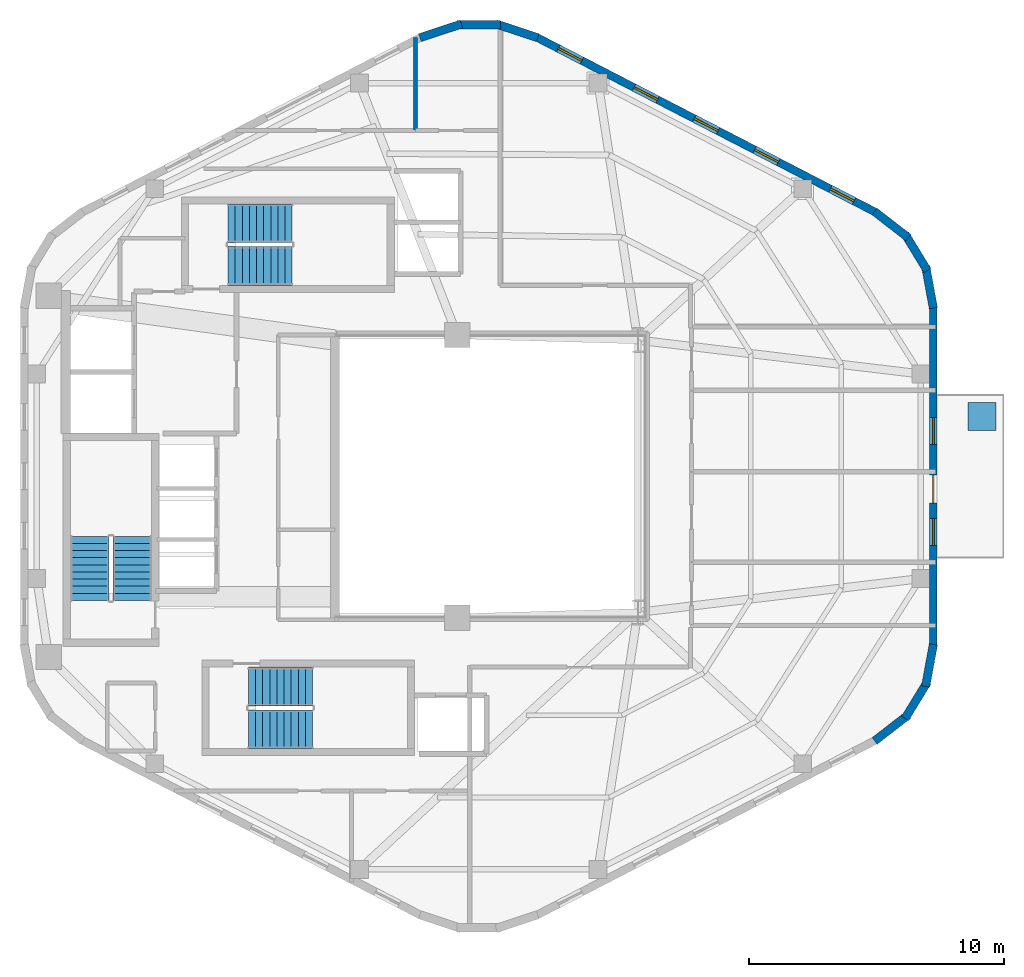
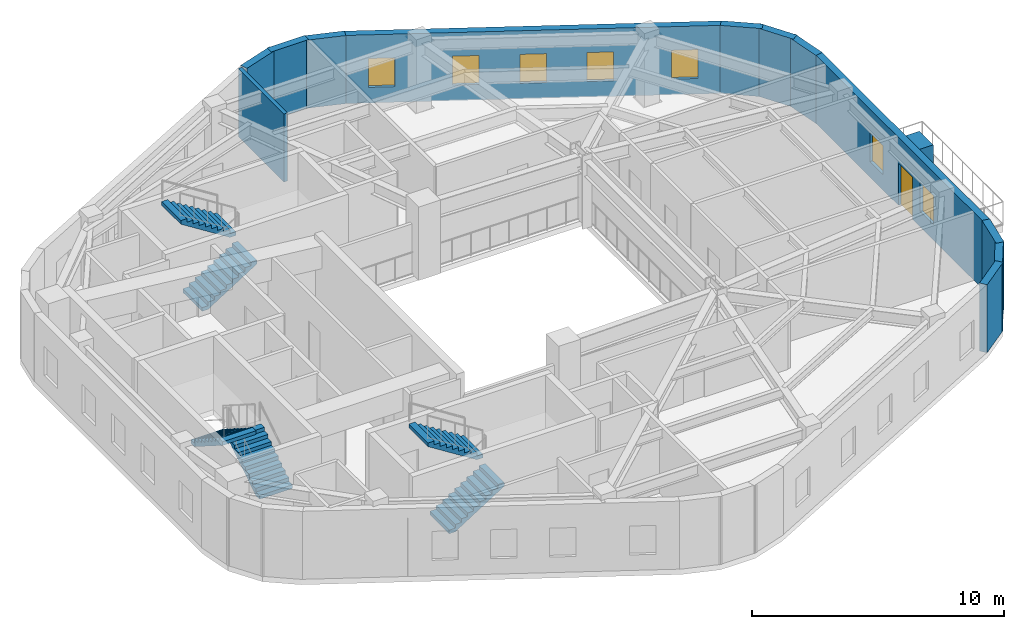
# One storey, part 5 of 7: 12 walls, 7 windows, 6 stair flights, 1 discrete accessory, 1 door, 8 openings, 3 elements without a shape of their own.
"""IFC4 building model written with IfcOpenShell, lengths in metres."""

import ifcopenshell
import ifcopenshell.guid

model = None  # the IFC model being written
_history = None  # IfcOwnerHistory: only IFC2X3 demands one
_inside = {}  # id of a spatial element -> (the spatial element, [elements in it])
_under = {}  # id of a project, library or spatial element -> (it, [spatial elements below it])
_declared = {}  # id of a project -> (the project, [libraries it declares])
_typed = {}  # id of a type object -> (the type object, [elements of that type])
_made_of = {}  # id of a material, layer set ... -> (it, [elements and type objects made of it])


def new_model(schema):
    """Start an empty IFC model of exactly this schema.

    Asked for "IFC4X3", IfcOpenShell would pick the latest addendum, in which some entities
    have other attributes; the version numbers below select the first issue.
    IFC2X3 requires an IfcOwnerHistory on every rooted entity: one is made here for all.
    """
    global model, _history
    if schema == "IFC4X3":
        model = ifcopenshell.file(schema_version=(4, 3, 0, 0))
    else:
        model = ifcopenshell.file(schema=schema)
    _inside.clear()
    _under.clear()
    _declared.clear()
    _typed.clear()
    _made_of.clear()
    _history = None
    if model.schema == "IFC2X3":
        org = make("IfcOrganization", Name="unknown")
        user = make(
            "IfcPersonAndOrganization",
            ThePerson=make("IfcPerson", FamilyName="unknown"),
            TheOrganization=org,
        )
        app = make(
            "IfcApplication",
            ApplicationDeveloper=org,
            Version="unknown",
            ApplicationFullName="unknown",
            ApplicationIdentifier="unknown",
        )
        _history = make(
            "IfcOwnerHistory",
            OwningUser=user,
            OwningApplication=app,
            ChangeAction="ADDED",
            CreationDate=0,
        )
    return model


def make(cls, **values):
    """One entity of the class cls with the attributes given. An attribute that is None is left unset."""
    return model.create_entity(
        cls, **{name: value for name, value in values.items() if value is not None}
    )


def rooted(cls, **values):
    """An entity with a GlobalId (a new one), such as an element, a storey or a relation."""
    return make(cls, GlobalId=ifcopenshell.guid.new(), OwnerHistory=_history, **values)


def si_unit(unit_type, name, prefix=None):
    """IfcSIUnit, for example si_unit("LENGTHUNIT", "METRE", prefix="MILLI")."""
    return make("IfcSIUnit", UnitType=unit_type, Prefix=prefix, Name=name)


def assignment(units):
    """IfcUnitAssignment: the units of a project."""
    return None if units is None else make("IfcUnitAssignment", Units=units)


def point(xyz):
    """IfcCartesianPoint."""
    return None if xyz is None else make("IfcCartesianPoint", Coordinates=xyz)


def direction(xyz):
    """IfcDirection."""
    return None if xyz is None else make("IfcDirection", DirectionRatios=xyz)


def frame(location, z_axis=None, x_axis=None):
    """IfcAxis2Placement3D, a coordinate frame: its origin and axes. An axis left out is left unset."""
    return make(
        "IfcAxis2Placement3D",
        Location=point(location),
        Axis=direction(z_axis),
        RefDirection=direction(x_axis),
    )


def frame_2d(location, x_axis=None):
    """IfcAxis2Placement2D, a coordinate frame in the plane: its origin and x axis."""
    return make(
        "IfcAxis2Placement2D", Location=point(location), RefDirection=direction(x_axis)
    )


def origin():
    """The frame at (0, 0, 0) with its axes left unset."""
    return frame((0.0, 0.0, 0.0))


def origin_2d():
    """The frame at (0, 0) in the plane with its x axis left unset."""
    return frame_2d((0.0, 0.0))


def place(relative_to, where):
    """IfcLocalPlacement: puts the frame where relative to a parent placement (None: the world)."""
    return make(
        "IfcLocalPlacement", PlacementRelTo=relative_to, RelativePlacement=where
    )


def context(
    kind, dimensions, precision=None, world=None, true_north=None, identifier=None
):
    """IfcGeometricRepresentationContext, for example the 3D "Model" context."""
    return make(
        "IfcGeometricRepresentationContext",
        ContextIdentifier=identifier,
        ContextType=kind,
        CoordinateSpaceDimension=dimensions,
        Precision=precision,
        WorldCoordinateSystem=world,
        TrueNorth=true_north,
    )


def subcontext(parent, identifier, kind, view, scale=None):
    """IfcGeometricRepresentationSubContext, for example "Body" below "Model"."""
    return make(
        "IfcGeometricRepresentationSubContext",
        ContextIdentifier=identifier,
        ContextType=kind,
        ParentContext=parent,
        TargetScale=scale,
        TargetView=view,
    )


def project(units=None, contexts=None):
    """IfcProject with its units and contexts."""
    return rooted(
        "IfcProject",
        Name="project",
        RepresentationContexts=contexts,
        UnitsInContext=assignment(units),
    )


def spatial(cls, under=None, at=None, **own):
    """A site, building, storey or space (cls), placed at a placement, below another one or the project."""
    s = rooted(cls, ObjectPlacement=at, **own)
    if under is not None:
        _under.setdefault(under.id(), (under, []))[1].append(s)
    return s


def polyline(points):
    """IfcPolyline through the points."""
    return make("IfcPolyline", Points=[point(p) for p in points])


def profile(cls, at=None, kind="AREA", **sizes):
    """A parametric profile (cls). Its sizes go by their IFC names, for example OverallWidth=200.0."""
    return make(cls, ProfileType=kind, Position=at, **sizes)


def rectangle(**sizes):
    """IfcRectangleProfileDef."""
    return profile("IfcRectangleProfileDef", **sizes)


def outline(outer, holes=None, kind="AREA"):
    """IfcArbitraryClosedProfileDef: a profile drawn as a closed curve; with holes, ...WithVoids."""
    if holes is None:
        return make("IfcArbitraryClosedProfileDef", ProfileType=kind, OuterCurve=outer)
    return make(
        "IfcArbitraryProfileDefWithVoids",
        ProfileType=kind,
        OuterCurve=outer,
        InnerCurves=holes,
    )


def extrude(swept, where, along, depth):
    """IfcExtrudedAreaSolid: the profile swept, set in the frame where, extruded along a direction by depth."""
    return make(
        "IfcExtrudedAreaSolid",
        SweptArea=swept,
        Position=where,
        ExtrudedDirection=direction(along),
        Depth=depth,
    )


def shape(context_of_items, identifier, shape_type, items):
    """IfcShapeRepresentation: the items that make up one representation, for example the "Body"."""
    return make(
        "IfcShapeRepresentation",
        ContextOfItems=context_of_items,
        RepresentationIdentifier=identifier,
        RepresentationType=shape_type,
        Items=items,
    )


def material(Name=None, Category=None):
    """IfcMaterial."""
    return make("IfcMaterial", Name=Name, Category=Category)


def layer(
    of_material, thickness, ventilated=None, Name=None, Category=None, Priority=None
):
    """IfcMaterialLayer: one layer of a wall or slab, of a material (None: an air gap)."""
    return make(
        "IfcMaterialLayer",
        Material=of_material,
        LayerThickness=thickness,
        IsVentilated=ventilated,
        Name=Name,
        Category=Category,
        Priority=Priority,
    )


def layer_set(layers, Name=None):
    """IfcMaterialLayerSet."""
    return make("IfcMaterialLayerSet", MaterialLayers=layers, LayerSetName=Name)


def made_of(thing, what):
    """Note that an element or type object is made of a material, layer set ...; save() writes the relation."""
    if what is not None:
        _made_of.setdefault(what.id(), (what, []))[1].append(thing)
    return thing


def type_object(cls, material=None, **own):
    """A type object (cls), such as IfcWallType, which elements share."""
    return made_of(rooted(cls, **own), material)


def element(
    cls,
    number,
    at=None,
    inside=None,
    cuts=None,
    type_object=None,
    material=None,
    context=None,
    identifier="Body",
    shape_type=None,
    held_by="IfcProductDefinitionShape",
    body=None,
    shapes=None,
    **own,
):
    """One element of the class cls, such as IfcWall. Its Tag is "e" and its number.

    at: its placement. inside: the storey or other place that contains it. cuts: it is an
    opening in that element (IfcRelVoidsElement). A single representation is given by context,
    identifier, shape_type and body (its items); several are given by shapes. held_by: the class
    of the entity that holds the representations. save() writes the other relations.
    """
    e = rooted(cls, Tag="e%d" % number, ObjectPlacement=at, **own)
    if body is not None:
        shapes = [shape(context, identifier, shape_type, body)]
    if shapes is not None:
        e.Representation = make(held_by, Representations=shapes)
    if inside is not None:
        _inside.setdefault(inside.id(), (inside, []))[1].append(e)
    if cuts is not None:
        rooted(
            "IfcRelVoidsElement", RelatingBuildingElement=cuts, RelatedOpeningElement=e
        )
    if type_object is not None:
        _typed.setdefault(type_object.id(), (type_object, []))[1].append(e)
    return made_of(e, material)


def fill(opening, filler):
    """IfcRelFillsElement: the door or window that sits in an opening."""
    return rooted(
        "IfcRelFillsElement",
        RelatingOpeningElement=opening,
        RelatedBuildingElement=filler,
    )


def aggregate(whole, parts):
    """IfcRelAggregates: a whole, such as a stair, and the parts it consists of."""
    return rooted("IfcRelAggregates", RelatingObject=whole, RelatedObjects=parts)


def save(model, path):
    """Write the relations noted so far, then the file.

    IfcRelAggregates (storeys below a building ...), IfcRelContainedInSpatialStructure (elements
    in a storey), IfcRelDefinesByType, IfcRelAssociatesMaterial and IfcRelDeclares: one each for
    every whole, place, type object, material and project.
    """
    for whole, parts in _under.values():
        aggregate(whole, parts)
    for where, things in _inside.values():
        rooted(
            "IfcRelContainedInSpatialStructure",
            RelatedElements=things,
            RelatingStructure=where,
        )
    for kind, things in _typed.values():
        rooted("IfcRelDefinesByType", RelatedObjects=things, RelatingType=kind)
    for what, things in _made_of.values():
        rooted("IfcRelAssociatesMaterial", RelatedObjects=things, RelatingMaterial=what)
    for by, libraries in _declared.values():
        rooted("IfcRelDeclares", RelatingContext=by, RelatedDefinitions=libraries)
    model.write(path)


model = new_model("IFC4")

# Units and contexts
model_context = context("Model", 3, precision=1e-05, world=origin(), true_north=direction((0.0, 1.0)))
body_context = subcontext(model_context, "Body", "Model", "MODEL_VIEW")
ifc_project = project(units=[si_unit("LENGTHUNIT", "METRE"), si_unit("AREAUNIT", "SQUARE_METRE"), si_unit("VOLUMEUNIT", "CUBIC_METRE"), si_unit("PLANEANGLEUNIT", "RADIAN"), si_unit("MASSUNIT", "GRAM", prefix="KILO"), si_unit("THERMODYNAMICTEMPERATUREUNIT", "KELVIN"), si_unit("POWERUNIT", "WATT")], contexts=[model_context])

# Site, building, storey
site_placement = place(None, origin())
site = spatial("IfcSite", under=ifc_project, at=site_placement, CompositionType="ELEMENT")
building_placement = place(site_placement, origin())
building = spatial("IfcBuilding", under=site, at=building_placement, Name="Skarre Station Tower", CompositionType="ELEMENT")
storey_placement = place(building_placement, frame((0.0, 0.0, 256.10009765625)))
storey = spatial("IfcBuildingStorey", under=building, at=storey_placement, Name="L70", CompositionType="ELEMENT", Elevation=256.10009765625)

# Walls
ifc_material_1 = material(Name="Precast concrete C45/55", Category="concrete")
ifc_layer_1 = layer(ifc_material_1, 0.330078125, Name="Precast concrete C45/55")
ifc_layer_set_1 = layer_set([ifc_layer_1], Name="Precast concrete C45/55")
wall_type_1 = type_object("IfcWallType", Name="Nordic Rounded Corner Precast Wall 330", PredefinedType="STANDARD", material=ifc_layer_set_1)
wall_1_placement = place(storey_placement, frame((48.7529296875, 34.40087890625, 0.0), z_axis=(0.0, 0.0, 1.0), x_axis=(0.790691856293, -0.61221433207, 0.0)))
element("IfcWall", 1, at=wall_1_placement, inside=storey, type_object=wall_type_1, Name="L70 Rounded Corner Precast Wall F0-1", PredefinedType="STANDARD", context=body_context, shape_type="SweptSolid", body=[
    extrude(rectangle(XDim=1.67578125, YDim=0.330078125, at=frame_2d((0.837890625, 0.0))), origin(), (0.0, 0.0, 1.0), 3.289794921875),
])
wall_2_placement = place(storey_placement, frame((49.952880859375, 33.514892578125, 0.0), z_axis=(0.0, 0.0, 1.0), x_axis=(0.520325409202, -0.853968072318, 0.0)))
element("IfcWall", 2, at=wall_2_placement, inside=storey, type_object=wall_type_1, Name="L70 Rounded Corner Precast Wall F0-2", PredefinedType="STANDARD", context=body_context, shape_type="SweptSolid", body=[
    extrude(rectangle(XDim=1.677978515625, YDim=0.330078125, at=frame_2d((0.8388671875, 0.0))), origin(), (0.0, 0.0, 1.0), 3.289794921875),
])
wall_3_placement = place(storey_placement, frame((50.759033203125, 32.257080078125, 0.0), z_axis=(0.0, 0.0, 1.0), x_axis=(0.180691763044, -0.983539773862, 0.0)))
element("IfcWall", 3, at=wall_3_placement, inside=storey, type_object=wall_type_1, Name="L70 Rounded Corner Precast Wall F0-3", PredefinedType="STANDARD", context=body_context, shape_type="SweptSolid", body=[
    extrude(rectangle(XDim=1.6767578125, YDim=0.330078125, at=frame_2d((0.83837890625, 0.0))), origin(), (0.0, 0.0, 1.0), 3.289794921875),
])
wall_4_placement = place(storey_placement, frame((30.882080078125, 41.23095703125, 0.0), z_axis=(0.0, 0.0, 1.0), x_axis=(0.949713440491, 0.313120393699, 0.0)))
element("IfcWall", 4, at=wall_4_placement, inside=storey, type_object=wall_type_1, Name="L70 Rounded Corner Precast Wall F1-1", PredefinedType="STANDARD", context=body_context, shape_type="SweptSolid", body=[
    extrude(rectangle(XDim=1.7216796875, YDim=0.330078125, at=frame_2d((0.86083984375, 0.0))), origin(), (0.0, 0.0, 1.0), 3.289794921875),
])
wall_5_placement = place(storey_placement, frame((32.339111328125, 41.740966796875, 0.0), z_axis=(0.0, 0.0, 1.0), x_axis=(1.0, 0.0, 0.0)))
element("IfcWall", 5, at=wall_5_placement, inside=storey, type_object=wall_type_1, Name="L70 Rounded Corner Precast Wall F1-2", PredefinedType="STANDARD", context=body_context, shape_type="SweptSolid", body=[
    extrude(rectangle(XDim=1.721923828125, YDim=0.330078125, at=frame_2d((0.86083984375, 0.0))), origin(), (0.0, 0.0, 1.0), 3.289794921875),
])
wall_6_placement = place(storey_placement, frame((33.883056640625, 41.77001953125, 0.0), z_axis=(0.0, 0.0, 1.0), x_axis=(0.949713440491, -0.313120393699, 0.0)))
element("IfcWall", 6, at=wall_6_placement, inside=storey, type_object=wall_type_1, Name="L70 Rounded Corner Precast Wall F1-3", PredefinedType="STANDARD", context=body_context, shape_type="SweptSolid", body=[
    extrude(rectangle(XDim=1.7216796875, YDim=0.330078125, at=frame_2d((0.86083984375, 0.0))), origin(), (0.0, 0.0, 1.0), 3.289794921875),
])
wall_7_placement = place(storey_placement, frame((51.06201171875, 17.39208984375, 0.0), z_axis=(0.0, 0.0, 1.0), x_axis=(-0.180691763044, -0.983539773862, 0.0)))
element("IfcWall", 7, at=wall_7_placement, inside=storey, type_object=wall_type_1, Name="L70 Rounded Corner Precast Wall F5-1", PredefinedType="STANDARD", context=body_context, shape_type="SweptSolid", body=[
    extrude(rectangle(XDim=1.6767578125, YDim=0.330078125, at=frame_2d((0.83837890625, 0.0))), origin(), (0.0, 0.0, 1.0), 3.289794921875),
])
wall_8_placement = place(storey_placement, frame((50.825927734375, 15.91796875, 0.0), z_axis=(0.0, 0.0, 1.0), x_axis=(-0.520325409202, -0.853968072318, 0.0)))
element("IfcWall", 8, at=wall_8_placement, inside=storey, type_object=wall_type_1, Name="L70 Rounded Corner Precast Wall F5-2", PredefinedType="STANDARD", context=body_context, shape_type="SweptSolid", body=[
    extrude(rectangle(XDim=1.677978515625, YDim=0.330078125, at=frame_2d((0.8388671875, 0.0))), origin(), (0.0, 0.0, 1.0), 3.289794921875),
])
wall_9_placement = place(storey_placement, frame((50.077880859375, 14.625, 0.0), z_axis=(0.0, 0.0, 1.0), x_axis=(-0.790691856293, -0.61221433207, 0.0)))
element("IfcWall", 9, at=wall_9_placement, inside=storey, type_object=wall_type_1, Name="L70 Rounded Corner Precast Wall F5-3", PredefinedType="STANDARD", context=body_context, shape_type="SweptSolid", body=[
    extrude(rectangle(XDim=1.67578125, YDim=0.330078125, at=frame_2d((0.837890625, 0.0))), origin(), (0.0, 0.0, 1.0), 3.289794921875),
])

# Wall, openings, windows
ifc_layer_2 = layer(ifc_material_1, 0.31005859375, Name="Precast concrete C45/55")
ifc_layer_set_2 = layer_set([ifc_layer_2], Name="Precast concrete C45/55")
wall_type_2 = type_object("IfcWallType", Name="Nordic Upper-Zone Precast Facet Wall 310", PredefinedType="STANDARD", material=ifc_layer_set_2)
wall_10_placement = place(storey_placement, frame((35.43701171875, 41.27001953125, 0.0), z_axis=(0.0, 0.0, 1.0), x_axis=(0.888581481622, -0.458718814218, 0.0)))
wall_10 = element("IfcWall", 10, at=wall_10_placement, inside=storey, type_object=wall_type_2, Name="L70 Facet 0 Nordic Precast Masonry Wall", PredefinedType="STANDARD", context=body_context, shape_type="SweptSolid", body=[
    extrude(rectangle(XDim=15.076904296875, YDim=0.31005859375, at=frame_2d((7.53857421875, 0.0))), origin(), (0.0, 0.0, 1.0), 3.289794921875),
])
opening_1_placement = place(wall_10_placement, frame((0.998046875, 0.0, 0.75)))
opening_1 = element("IfcOpeningElement", 11, at=opening_1_placement, cuts=wall_10, Name="Opening WN-SLT", PredefinedType="OPENING", context=body_context, shape_type="SweptSolid", body=[
    extrude(rectangle(XDim=1.050048828125, YDim=1.39990234375, at=frame_2d((0.52490234375, 0.699951171875))), frame((0.0, 0.1650390625, 0.0), z_axis=(0.0, -1.0, 0.0), x_axis=(1.0, 0.0, 0.0)), (0.0, 0.0, 1.0), 0.330078125),
])
opening_2_placement = place(wall_10_placement, frame((4.343994140625, 0.0, 0.75)))
opening_2 = element("IfcOpeningElement", 12, at=opening_2_placement, cuts=wall_10, Name="Opening WN-SLT", PredefinedType="OPENING", context=body_context, shape_type="SweptSolid", body=[
    extrude(rectangle(XDim=1.050048828125, YDim=1.39990234375, at=frame_2d((0.52490234375, 0.699951171875))), frame((0.0, 0.1650390625, 0.0), z_axis=(0.0, -1.0, 0.0), x_axis=(1.0, 0.0, 0.0)), (0.0, 0.0, 1.0), 0.330078125),
])
opening_3_placement = place(wall_10_placement, frame((7.012939453125, 0.0, 0.75)))
opening_3 = element("IfcOpeningElement", 13, at=opening_3_placement, cuts=wall_10, Name="Opening WN-SLT", PredefinedType="OPENING", context=body_context, shape_type="SweptSolid", body=[
    extrude(rectangle(XDim=1.050048828125, YDim=1.39990234375, at=frame_2d((0.52490234375, 0.699951171875))), frame((0.0, 0.1650390625, 0.0), z_axis=(0.0, -1.0, 0.0), x_axis=(1.0, 0.0, 0.0)), (0.0, 0.0, 1.0), 0.330078125),
])
opening_4_placement = place(wall_10_placement, frame((9.680908203125, 0.0, 0.75)))
opening_4 = element("IfcOpeningElement", 14, at=opening_4_placement, cuts=wall_10, Name="Opening WN-SLT", PredefinedType="OPENING", context=body_context, shape_type="SweptSolid", body=[
    extrude(rectangle(XDim=1.050048828125, YDim=1.39990234375, at=frame_2d((0.52490234375, 0.699951171875))), frame((0.0, 0.1650390625, 0.0), z_axis=(0.0, -1.0, 0.0), x_axis=(1.0, 0.0, 0.0)), (0.0, 0.0, 1.0), 0.330078125),
])
opening_5_placement = place(wall_10_placement, frame((13.029052734375, 0.0, 0.75)))
opening_5 = element("IfcOpeningElement", 15, at=opening_5_placement, cuts=wall_10, Name="Opening WN-SLT", PredefinedType="OPENING", context=body_context, shape_type="SweptSolid", body=[
    extrude(rectangle(XDim=1.050048828125, YDim=1.39990234375, at=frame_2d((0.52490234375, 0.699951171875))), frame((0.0, 0.1650390625, 0.0), z_axis=(0.0, -1.0, 0.0), x_axis=(1.0, 0.0, 0.0)), (0.0, 0.0, 1.0), 0.330078125),
])
ifc_material_2 = material(Name="Low-Iron Triple Glazing with Bronze Anodized Frame", Category="glass")
window_type = type_object("IfcWindowType", Name="Nordic Corner Slot Window 1050x1400", PartitioningType="SINGLE_PANEL", PredefinedType="WINDOW", material=ifc_material_2)
window_1_placement = place(opening_1_placement, origin())
window_1 = element("IfcWindow", 16, at=window_1_placement, inside=storey, type_object=window_type, Name="L70 Facade Window WL-FAC-L70-F0-1", OverallHeight=1.39990234375, OverallWidth=1.050048828125, PartitioningType="SINGLE_PANEL", PredefinedType="WINDOW", context=body_context, shape_type="SweptSolid", body=[
    extrude(rectangle(XDim=1.050048828125, YDim=1.39990234375, at=frame_2d((0.52490234375, 0.699951171875))), frame((0.0, 0.030029296875, 0.0), z_axis=(0.0, -1.0, 0.0), x_axis=(1.0, 0.0, 0.0)), (0.0, 0.0, 1.0), 0.06005859375),
])
fill(opening_1, window_1)
window_2_placement = place(opening_2_placement, origin())
window_2 = element("IfcWindow", 17, at=window_2_placement, inside=storey, type_object=window_type, Name="L70 Facade Window WL-FAC-L70-F0-2", OverallHeight=1.39990234375, OverallWidth=1.050048828125, PartitioningType="SINGLE_PANEL", PredefinedType="WINDOW", context=body_context, shape_type="SweptSolid", body=[
    extrude(rectangle(XDim=1.050048828125, YDim=1.39990234375, at=frame_2d((0.52490234375, 0.699951171875))), frame((0.0, 0.030029296875, 0.0), z_axis=(0.0, -1.0, 0.0), x_axis=(1.0, 0.0, 0.0)), (0.0, 0.0, 1.0), 0.06005859375),
])
fill(opening_2, window_2)
window_3_placement = place(opening_3_placement, origin())
window_3 = element("IfcWindow", 18, at=window_3_placement, inside=storey, type_object=window_type, Name="L70 Facade Window WL-FAC-L70-F0-3", OverallHeight=1.39990234375, OverallWidth=1.050048828125, PartitioningType="SINGLE_PANEL", PredefinedType="WINDOW", context=body_context, shape_type="SweptSolid", body=[
    extrude(rectangle(XDim=1.050048828125, YDim=1.39990234375, at=frame_2d((0.52490234375, 0.699951171875))), frame((0.0, 0.030029296875, 0.0), z_axis=(0.0, -1.0, 0.0), x_axis=(1.0, 0.0, 0.0)), (0.0, 0.0, 1.0), 0.06005859375),
])
fill(opening_3, window_3)
window_4_placement = place(opening_4_placement, origin())
window_4 = element("IfcWindow", 19, at=window_4_placement, inside=storey, type_object=window_type, Name="L70 Facade Window WL-FAC-L70-F0-4", OverallHeight=1.39990234375, OverallWidth=1.050048828125, PartitioningType="SINGLE_PANEL", PredefinedType="WINDOW", context=body_context, shape_type="SweptSolid", body=[
    extrude(rectangle(XDim=1.050048828125, YDim=1.39990234375, at=frame_2d((0.52490234375, 0.699951171875))), frame((0.0, 0.030029296875, 0.0), z_axis=(0.0, -1.0, 0.0), x_axis=(1.0, 0.0, 0.0)), (0.0, 0.0, 1.0), 0.06005859375),
])
fill(opening_4, window_4)
window_5_placement = place(opening_5_placement, origin())
window_5 = element("IfcWindow", 20, at=window_5_placement, inside=storey, type_object=window_type, Name="L70 Facade Window WL-FAC-L70-F0-5", OverallHeight=1.39990234375, OverallWidth=1.050048828125, PartitioningType="SINGLE_PANEL", PredefinedType="WINDOW", context=body_context, shape_type="SweptSolid", body=[
    extrude(rectangle(XDim=1.050048828125, YDim=1.39990234375, at=frame_2d((0.52490234375, 0.699951171875))), frame((0.0, 0.030029296875, 0.0), z_axis=(0.0, -1.0, 0.0), x_axis=(1.0, 0.0, 0.0)), (0.0, 0.0, 1.0), 0.06005859375),
])
fill(opening_5, window_5)

# Wall, openings, windows, door
wall_11_placement = place(storey_placement, frame((51.05810546875, 30.701904296875, 0.0), z_axis=(0.0, 0.0, 1.0), x_axis=(0.0, -1.0, 0.0)))
wall_11 = element("IfcWall", 21, at=wall_11_placement, inside=storey, type_object=wall_type_2, Name="L70 Facet 5 Nordic Precast Masonry Wall", PredefinedType="STANDARD", context=body_context, shape_type="SweptSolid", body=[
    extrude(rectangle(XDim=13.40380859375, YDim=0.31005859375, at=frame_2d((6.701904296875, 0.0))), origin(), (0.0, 0.0, 1.0), 3.289794921875),
])
opening_6_placement = place(wall_11_placement, frame((6.652099609375, 0.0, 0.0)))
opening_6 = element("IfcOpeningElement", 22, at=opening_6_placement, cuts=wall_11, Name="Opening DR-BAL110", PredefinedType="OPENING", context=body_context, shape_type="SweptSolid", body=[
    extrude(rectangle(XDim=1.10009765625, YDim=2.0400390625, at=frame_2d((0.550048828125, 1.02001953125))), frame((0.0, 0.1650390625, 0.0), z_axis=(0.0, -1.0, 0.0), x_axis=(1.0, 0.0, 0.0)), (0.0, 0.0, 1.0), 0.330078125),
])
opening_7_placement = place(wall_11_placement, frame((4.402099609375, 0.0, 0.75)))
opening_7 = element("IfcOpeningElement", 23, at=opening_7_placement, cuts=wall_11, Name="Opening WN-SLT", PredefinedType="OPENING", context=body_context, shape_type="SweptSolid", body=[
    extrude(rectangle(XDim=1.050048828125, YDim=1.39990234375, at=frame_2d((0.52490234375, 0.699951171875))), frame((0.0, 0.1650390625, 0.0), z_axis=(0.0, -1.0, 0.0), x_axis=(1.0, 0.0, 0.0)), (0.0, 0.0, 1.0), 0.330078125),
])
opening_8_placement = place(wall_11_placement, frame((8.368896484375, 0.0, 0.75)))
opening_8 = element("IfcOpeningElement", 24, at=opening_8_placement, cuts=wall_11, Name="Opening WN-SLT", PredefinedType="OPENING", context=body_context, shape_type="SweptSolid", body=[
    extrude(rectangle(XDim=1.050048828125, YDim=1.39990234375, at=frame_2d((0.52490234375, 0.699951171875))), frame((0.0, 0.1650390625, 0.0), z_axis=(0.0, -1.0, 0.0), x_axis=(1.0, 0.0, 0.0)), (0.0, 0.0, 1.0), 0.330078125),
])
window_6_placement = place(opening_7_placement, origin())
window_6 = element("IfcWindow", 25, at=window_6_placement, inside=storey, type_object=window_type, Name="L70 Facade Window WL-FAC-L70-F5-1", OverallHeight=1.39990234375, OverallWidth=1.050048828125, PartitioningType="SINGLE_PANEL", PredefinedType="WINDOW", context=body_context, shape_type="SweptSolid", body=[
    extrude(rectangle(XDim=1.050048828125, YDim=1.39990234375, at=frame_2d((0.52490234375, 0.699951171875))), frame((0.0, 0.030029296875, 0.0), z_axis=(0.0, -1.0, 0.0), x_axis=(1.0, 0.0, 0.0)), (0.0, 0.0, 1.0), 0.06005859375),
])
fill(opening_7, window_6)
window_7_placement = place(opening_8_placement, origin())
window_7 = element("IfcWindow", 26, at=window_7_placement, inside=storey, type_object=window_type, Name="L70 Facade Window WL-FAC-L70-F5-2", OverallHeight=1.39990234375, OverallWidth=1.050048828125, PartitioningType="SINGLE_PANEL", PredefinedType="WINDOW", context=body_context, shape_type="SweptSolid", body=[
    extrude(rectangle(XDim=1.050048828125, YDim=1.39990234375, at=frame_2d((0.52490234375, 0.699951171875))), frame((0.0, 0.030029296875, 0.0), z_axis=(0.0, -1.0, 0.0), x_axis=(1.0, 0.0, 0.0)), (0.0, 0.0, 1.0), 0.06005859375),
])
fill(opening_8, window_7)
ifc_material_3 = material(Name="Thermally Broken Aluminium & Triple Glazing", Category="aluminium")
door_type = type_object("IfcDoorType", Name="Terrace & Tree-Balcony Glazed Door 1100x2200", OperationType="SINGLE_SWING_LEFT", PredefinedType="DOOR", material=ifc_material_3)
door_placement = place(opening_6_placement, origin())
door = element("IfcDoor", 27, at=door_placement, inside=storey, type_object=door_type, Name="L70 TB-L70-F5 Tree-Balcony Glazed Door", OperationType="SINGLE_SWING_LEFT", OverallHeight=2.0400390625, OverallWidth=1.10009765625, PredefinedType="DOOR", context=body_context, shape_type="SweptSolid", body=[
    extrude(rectangle(XDim=1.10009765625, YDim=2.0400390625, at=frame_2d((0.550048828125, 1.02001953125))), frame((0.0, 0.02490234375, 0.0), z_axis=(0.0, -1.0, 0.0), x_axis=(1.0, 0.0, 0.0)), (0.0, 0.0, 1.0), 0.050048828125),
])
fill(opening_6, door)

# Wall
ifc_material_4 = material(Name="Acoustic Steel-Stud Gypsum Partition", Category="steel")
ifc_layer_3 = layer(ifc_material_4, 0.1650390625, Name="Acoustic Steel-Stud Gypsum Partition")
ifc_layer_set_3 = layer_set([ifc_layer_3], Name="Acoustic Steel-Stud Gypsum Partition")
wall_type_3 = type_object("IfcWallType", Name="Suite Demising Acoustic Partition 165", PredefinedType="PARTITIONING", material=ifc_layer_set_3)
wall_12_placement = place(storey_placement, frame((30.712890625, 37.610107421875, 0.0), z_axis=(0.0, 0.0, 1.0), x_axis=(0.0, 1.0, 0.0)))
element("IfcWall", 28, at=wall_12_placement, inside=storey, type_object=wall_type_3, Name="L70 Interior Partition WL-PT-L70-NWW-P1", PredefinedType="PARTITIONING", context=body_context, shape_type="SweptSolid", body=[
    extrude(rectangle(XDim=3.626953125, YDim=0.1650390625, at=frame_2d((1.8134765625, 0.0))), origin(), (0.0, 0.0, 1.0), 3.289794921875),
])

# Stair, stair flights
ifc_material_5 = material(Name="Concrete C40/50", Category="concrete")
stair_type_1 = type_object("IfcStairType", Name="Reinforced Concrete Exit Stair ST-1", PredefinedType="HALF_TURN_STAIR", material=ifc_material_5)
stair_1_placement = place(storey_placement, origin())
stair_1 = element("IfcStair", 29, at=stair_1_placement, inside=storey, type_object=stair_type_1, Name="L70 Core Exit Stair ST-1", PredefinedType="HALF_TURN_STAIR")
stair_flight_type_1 = type_object("IfcStairFlightType", Name="Reinforced Concrete Stair Flight ST-1", PredefinedType="STRAIGHT", material=ifc_material_5)
stair_flight_1_placement = place(storey_placement, frame((19.590087890625, 19.1201171875, 0.0), z_axis=(0.0, 0.0, 1.0), x_axis=(0.0, 1.0, 0.0)))
stair_flight_1 = element("IfcStairFlight", 30, at=stair_flight_1_placement, type_object=stair_flight_type_1, Name="ST-1 flight 1", NumberOfRisers=10, NumberOfTreads=9, PredefinedType="STRAIGHT", RiserHeight=0.1775, TreadLength=0.28, context=body_context, shape_type="SweptSolid", body=[
    extrude(outline(polyline([(0.0, 0.0), (0.0, 0.177490234375), (0.280029296875, 0.177490234375), (0.280029296875, 0.35498046875), (0.56005859375, 0.35498046875), (0.56005859375, 0.532470703125), (0.840087890625, 0.532470703125), (0.840087890625, 0.7099609375), (1.1201171875, 0.7099609375), (1.1201171875, 0.887451171875), (1.39990234375, 0.887451171875), (1.39990234375, 1.06494140625), (1.679931640625, 1.06494140625), (1.679931640625, 1.242431640625), (1.9599609375, 1.242431640625), (1.9599609375, 1.419921875), (2.239990234375, 1.419921875), (2.239990234375, 1.597412109375), (2.52001953125, 1.597412109375), (2.52001953125, 1.77490234375), (2.52001953125, 1.419921875), (0.280029296875, 0.0), (0.0, 0.0)])), frame((0.0, 0.760009765625, 0.0), z_axis=(0.0, -1.0, 0.0), x_axis=(1.0, 0.0, 0.0)), (0.0, 0.0, 1.0), 1.52001953125),
])
stair_flight_2_placement = place(storey_placement, frame((17.909912109375, 21.639892578125, 1.77490234375), z_axis=(0.0, 0.0, 1.0), x_axis=(0.0, -1.0, 0.0)))
stair_flight_2 = element("IfcStairFlight", 31, at=stair_flight_2_placement, type_object=stair_flight_type_1, Name="ST-1 flight 2", NumberOfRisers=10, NumberOfTreads=9, PredefinedType="STRAIGHT", RiserHeight=0.1775, TreadLength=0.28, context=body_context, shape_type="SweptSolid", body=[
    extrude(outline(polyline([(0.0, 0.0), (0.0, 0.177490234375), (0.280029296875, 0.177490234375), (0.280029296875, 0.35498046875), (0.56005859375, 0.35498046875), (0.56005859375, 0.532470703125), (0.840087890625, 0.532470703125), (0.840087890625, 0.7099609375), (1.1201171875, 0.7099609375), (1.1201171875, 0.887451171875), (1.39990234375, 0.887451171875), (1.39990234375, 1.06494140625), (1.679931640625, 1.06494140625), (1.679931640625, 1.242431640625), (1.9599609375, 1.242431640625), (1.9599609375, 1.419921875), (2.239990234375, 1.419921875), (2.239990234375, 1.597412109375), (2.52001953125, 1.597412109375), (2.52001953125, 1.77490234375), (2.52001953125, 1.419921875), (0.280029296875, 0.0), (0.0, 0.0)])), frame((0.0, 0.760009765625, 0.0), z_axis=(0.0, -1.0, 0.0), x_axis=(1.0, 0.0, 0.0)), (0.0, 0.0, 1.0), 1.52001953125),
])
aggregate(stair_1, [stair_flight_1, stair_flight_2])

stair_type_2 = type_object("IfcStairType", Name="Reinforced Concrete Exit Stair ST-2", PredefinedType="HALF_TURN_STAIR", material=ifc_material_5)
stair_2_placement = place(storey_placement, origin())
stair_2 = element("IfcStair", 32, at=stair_2_placement, inside=storey, type_object=stair_type_2, Name="L70 Core Exit Stair ST-2", PredefinedType="HALF_TURN_STAIR")
stair_flight_type_2 = type_object("IfcStairFlightType", Name="Reinforced Concrete Stair Flight ST-2", PredefinedType="STRAIGHT", material=ifc_material_5)
stair_flight_3_placement = place(storey_placement, frame((24.14990234375, 14.06005859375, 0.0), z_axis=(0.0, 0.0, 1.0), x_axis=(1.0, 0.0, 0.0)))
stair_flight_3 = element("IfcStairFlight", 33, at=stair_flight_3_placement, type_object=stair_flight_type_2, Name="ST-2 flight 1", NumberOfRisers=10, NumberOfTreads=9, PredefinedType="STRAIGHT", RiserHeight=0.1775, TreadLength=0.28, context=body_context, shape_type="SweptSolid", body=[
    extrude(outline(polyline([(0.0, 0.0), (0.0, 0.177490234375), (0.280029296875, 0.177490234375), (0.280029296875, 0.35498046875), (0.56005859375, 0.35498046875), (0.56005859375, 0.532470703125), (0.840087890625, 0.532470703125), (0.840087890625, 0.7099609375), (1.1201171875, 0.7099609375), (1.1201171875, 0.887451171875), (1.39990234375, 0.887451171875), (1.39990234375, 1.06494140625), (1.679931640625, 1.06494140625), (1.679931640625, 1.242431640625), (1.9599609375, 1.242431640625), (1.9599609375, 1.419921875), (2.239990234375, 1.419921875), (2.239990234375, 1.597412109375), (2.52001953125, 1.597412109375), (2.52001953125, 1.77490234375), (2.52001953125, 1.419921875), (0.280029296875, 0.0), (0.0, 0.0)])), frame((0.0, 0.760009765625, 0.0), z_axis=(0.0, -1.0, 0.0), x_axis=(1.0, 0.0, 0.0)), (0.0, 0.0, 1.0), 1.52001953125),
])
stair_flight_4_placement = place(storey_placement, frame((26.669921875, 15.739990234375, 1.77490234375), z_axis=(0.0, 0.0, 1.0), x_axis=(-1.0, 0.0, 0.0)))
stair_flight_4 = element("IfcStairFlight", 34, at=stair_flight_4_placement, type_object=stair_flight_type_2, Name="ST-2 flight 2", NumberOfRisers=10, NumberOfTreads=9, PredefinedType="STRAIGHT", RiserHeight=0.1775, TreadLength=0.28, context=body_context, shape_type="SweptSolid", body=[
    extrude(outline(polyline([(0.0, 0.0), (0.0, 0.177490234375), (0.280029296875, 0.177490234375), (0.280029296875, 0.35498046875), (0.56005859375, 0.35498046875), (0.56005859375, 0.532470703125), (0.840087890625, 0.532470703125), (0.840087890625, 0.7099609375), (1.1201171875, 0.7099609375), (1.1201171875, 0.887451171875), (1.39990234375, 0.887451171875), (1.39990234375, 1.06494140625), (1.679931640625, 1.06494140625), (1.679931640625, 1.242431640625), (1.9599609375, 1.242431640625), (1.9599609375, 1.419921875), (2.239990234375, 1.419921875), (2.239990234375, 1.597412109375), (2.52001953125, 1.597412109375), (2.52001953125, 1.77490234375), (2.52001953125, 1.419921875), (0.280029296875, 0.0), (0.0, 0.0)])), frame((0.0, 0.760009765625, 0.0), z_axis=(0.0, -1.0, 0.0), x_axis=(1.0, 0.0, 0.0)), (0.0, 0.0, 1.0), 1.52001953125),
])
aggregate(stair_2, [stair_flight_3, stair_flight_4])

stair_type_3 = type_object("IfcStairType", Name="Reinforced Concrete Exit Stair ST-3", PredefinedType="HALF_TURN_STAIR", material=ifc_material_5)
stair_3_placement = place(storey_placement, origin())
stair_3 = element("IfcStair", 35, at=stair_3_placement, inside=storey, type_object=stair_type_3, Name="L70 Core Exit Stair ST-3", PredefinedType="HALF_TURN_STAIR")
stair_flight_type_3 = type_object("IfcStairFlightType", Name="Reinforced Concrete Stair Flight ST-3", PredefinedType="STRAIGHT", material=ifc_material_5)
stair_flight_5_placement = place(storey_placement, frame((23.35009765625, 32.260009765625, 0.0), z_axis=(0.0, 0.0, 1.0), x_axis=(1.0, 0.0, 0.0)))
stair_flight_5 = element("IfcStairFlight", 36, at=stair_flight_5_placement, type_object=stair_flight_type_3, Name="ST-3 flight 1", NumberOfRisers=10, NumberOfTreads=9, PredefinedType="STRAIGHT", RiserHeight=0.1775, TreadLength=0.28, context=body_context, shape_type="SweptSolid", body=[
    extrude(outline(polyline([(0.0, 0.0), (0.0, 0.177490234375), (0.280029296875, 0.177490234375), (0.280029296875, 0.35498046875), (0.56005859375, 0.35498046875), (0.56005859375, 0.532470703125), (0.840087890625, 0.532470703125), (0.840087890625, 0.7099609375), (1.1201171875, 0.7099609375), (1.1201171875, 0.887451171875), (1.39990234375, 0.887451171875), (1.39990234375, 1.06494140625), (1.679931640625, 1.06494140625), (1.679931640625, 1.242431640625), (1.9599609375, 1.242431640625), (1.9599609375, 1.419921875), (2.239990234375, 1.419921875), (2.239990234375, 1.597412109375), (2.52001953125, 1.597412109375), (2.52001953125, 1.77490234375), (2.52001953125, 1.419921875), (0.280029296875, 0.0), (0.0, 0.0)])), frame((0.0, 0.760009765625, 0.0), z_axis=(0.0, -1.0, 0.0), x_axis=(1.0, 0.0, 0.0)), (0.0, 0.0, 1.0), 1.52001953125),
])
stair_flight_6_placement = place(storey_placement, frame((25.8701171875, 33.93994140625, 1.77490234375), z_axis=(0.0, 0.0, 1.0), x_axis=(-1.0, 0.0, 0.0)))
stair_flight_6 = element("IfcStairFlight", 37, at=stair_flight_6_placement, type_object=stair_flight_type_3, Name="ST-3 flight 2", NumberOfRisers=10, NumberOfTreads=9, PredefinedType="STRAIGHT", RiserHeight=0.1775, TreadLength=0.28, context=body_context, shape_type="SweptSolid", body=[
    extrude(outline(polyline([(0.0, 0.0), (0.0, 0.177490234375), (0.280029296875, 0.177490234375), (0.280029296875, 0.35498046875), (0.56005859375, 0.35498046875), (0.56005859375, 0.532470703125), (0.840087890625, 0.532470703125), (0.840087890625, 0.7099609375), (1.1201171875, 0.7099609375), (1.1201171875, 0.887451171875), (1.39990234375, 0.887451171875), (1.39990234375, 1.06494140625), (1.679931640625, 1.06494140625), (1.679931640625, 1.242431640625), (1.9599609375, 1.242431640625), (1.9599609375, 1.419921875), (2.239990234375, 1.419921875), (2.239990234375, 1.597412109375), (2.52001953125, 1.597412109375), (2.52001953125, 1.77490234375), (2.52001953125, 1.419921875), (0.280029296875, 0.0), (0.0, 0.0)])), frame((0.0, 0.760009765625, 0.0), z_axis=(0.0, -1.0, 0.0), x_axis=(1.0, 0.0, 0.0)), (0.0, 0.0, 1.0), 1.52001953125),
])
aggregate(stair_3, [stair_flight_5, stair_flight_6])

# Discrete accessory
discrete_accessory_type = type_object("IfcDiscreteAccessoryType", Name="Insulated Precast Tree Planter Trough 1100x1100x950", PredefinedType="USERDEFINED", material=ifc_material_1)
discrete_accessory_placement = place(storey_placement, frame((52.962890625, 26.35009765625, 0.0), z_axis=(0.0, 0.0, 1.0), x_axis=(1.0, 0.0, 0.0)))
element("IfcDiscreteAccessory", 38, at=discrete_accessory_placement, inside=storey, type_object=discrete_accessory_type, Name="L70 TB-L70-F5 Insulated Precast Tree Planter Trough", ObjectType="PLANTER", PredefinedType="USERDEFINED", context=body_context, shape_type="SweptSolid", body=[
    extrude(rectangle(XDim=1.10009765625, YDim=1.10009765625, at=origin_2d()), origin(), (0.0, 0.0, 1.0), 0.949951171875),
])

save(model, "model.ifc")
